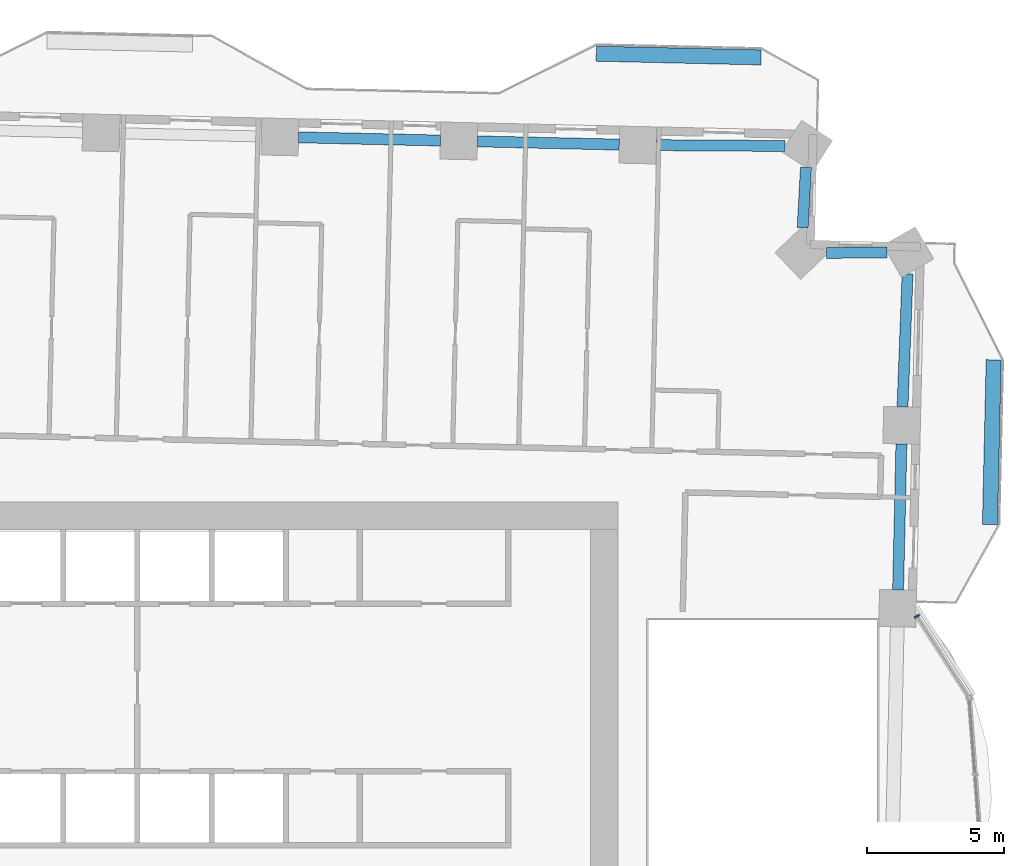
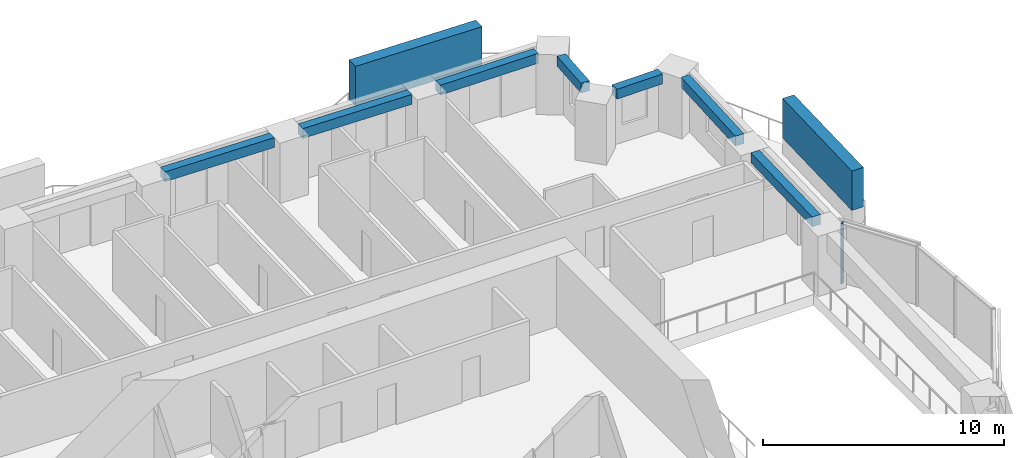
# One storey, part 4 of 16: 7 beams, 3 members, 1 element without a shape of its own.
"""IFC4 building model written with IfcOpenShell, lengths in metres."""

from ifc_helpers import new_model, si_unit, direction, frame, origin, origin_2d, place, context, subcontext, project, spatial, rectangle, extrude, material, material_profile, profile_set, type_object, element, aggregate, save


model = new_model("IFC4")

# Units and contexts
model_context = context("Model", 3, precision=1e-05, world=origin(), true_north=direction((0.0, 1.0)))
body_context = subcontext(model_context, "Body", "Model", "MODEL_VIEW")
ifc_project = project(units=[si_unit("LENGTHUNIT", "METRE"), si_unit("AREAUNIT", "SQUARE_METRE"), si_unit("VOLUMEUNIT", "CUBIC_METRE"), si_unit("PLANEANGLEUNIT", "RADIAN"), si_unit("MASSUNIT", "GRAM", prefix="KILO")], contexts=[model_context])

# Site, building, storey
site_placement = place(None, origin())
site = spatial("IfcSite", under=ifc_project, at=site_placement, CompositionType="ELEMENT")
building_placement = place(site_placement, origin())
building = spatial("IfcBuilding", under=site, at=building_placement, Name="Mangrove Gate Tower", CompositionType="ELEMENT")
storey_placement = place(building_placement, frame((0.0, 0.0, 112.699951171875)))
storey = spatial("IfcBuildingStorey", under=building, at=storey_placement, Name="L28", CompositionType="ELEMENT", Elevation=112.699951171875)

# Curtain wall, member
ifc_material_1 = material(Name="Aluminium and glass curtain wall", Category="aluminium")
curtain_wall_type = type_object("IfcCurtainWallType", Name="Atrium garden-court glazing wall", PredefinedType="NOTDEFINED", material=ifc_material_1)
curtain_wall_placement = place(storey_placement, origin())
curtain_wall = element("IfcCurtainWall", 1, at=curtain_wall_placement, inside=storey, type_object=curtain_wall_type, Name="Atrium garden-court glazing E1f3", PredefinedType="NOTDEFINED")
ifc_material_2 = material(Name="Aluminium alloy 6063-T6", Category="aluminium")
ifc_material_profile_1 = material_profile(ifc_material_2, rectangle(XDim=0.070068359375, YDim=0.199951171875, at=origin_2d()))
ifc_profile_set_1 = profile_set([ifc_material_profile_1], Name="Aluminium alloy 6063-T6")
member_type_1 = type_object("IfcMemberType", Name="Atrium garden-court glazing mullion 70x200", PredefinedType="MULLION", material=ifc_profile_set_1)
member_placement = place(storey_placement, frame((25.67626953125, 7.6337890625, 0.0), z_axis=(0.0, 0.0, 1.0), x_axis=(-0.540510523896, 0.841337253162, 0.0)))
member = element("IfcMember", 2, at=member_placement, type_object=member_type_1, Name="CWA mullion 2", PredefinedType="MULLION", context=body_context, shape_type="SweptSolid", body=[
    extrude(rectangle(XDim=0.070068359375, YDim=0.199951171875, at=origin_2d()), origin(), (0.0, 0.0, 1.0), 3.050048828125),
])
aggregate(curtain_wall, [member])

# Members
ifc_material_3 = material(Name="Planting on aluminium trellis", Category="aluminium")
ifc_material_profile_2 = material_profile(ifc_material_3, rectangle(XDim=0.550048828125, YDim=2.0, at=origin_2d()))
ifc_profile_set_2 = profile_set([ifc_material_profile_2], Name="Planting on aluminium trellis")
member_type_2 = type_object("IfcMemberType", Name="Balcony greenery screen 550x2000", PredefinedType="USERDEFINED", material=ifc_profile_set_2)
for number, where, z_axis, x_axis, name in (
    (3, (28.337890625, 10.972900390625, 1.800048828125), (0.022706615587, 0.999742171567, 0.0), (-0.999742171567, 0.022706615587, 0.0), "GREEN SCREEN L28 E1.1"),
    (4, (14.0048828125, 28.117919921875, 1.800048828125), (0.999743094499, -0.022665943652, 0.0), (0.022665943652, 0.999743094499, 0.0), "GREEN SCREEN L28 N0.1"),
):
    element("IfcMember", number, at=place(storey_placement, frame(where, z_axis=z_axis, x_axis=x_axis)), inside=storey, type_object=member_type_2, Name=name, ObjectType="PLANTING", PredefinedType="USERDEFINED", context=body_context, shape_type="SweptSolid", body=[
        extrude(rectangle(XDim=0.550048828125, YDim=2.0, at=origin_2d()), origin(), (0.0, 0.0, 1.0), 5.99951171875),
    ])

# Beams
ifc_material_4 = material(Name="Concrete C50/60", Category="concrete")
ifc_material_profile_3 = material_profile(ifc_material_4, rectangle(XDim=0.39990234375, YDim=0.5, at=origin_2d()))
ifc_profile_set_3 = profile_set([ifc_material_profile_3], Name="Concrete C50/60")
beam_type = type_object("IfcBeamType", Name="Edge beam RC 400x500 C50/60", PredefinedType="BEAM", material=ifc_profile_set_3)
beam_1_placement = place(storey_placement, frame((24.993408203125, 8.59912109375, 2.800048828125), z_axis=(0.022659804799, 0.999743233659, 0.0), x_axis=(-0.999743233659, 0.022659804799, 0.0)))
element("IfcBeam", 5, at=beam_1_placement, inside=storey, type_object=beam_type, Name="Edge beam L28 16", PredefinedType="BEAM", context=body_context, shape_type="SweptSolid", body=[
    extrude(rectangle(XDim=0.39990234375, YDim=0.5, at=origin_2d()), origin(), (0.0, 0.0, 1.0), 5.311767578125),
])
beam_2_placement = place(storey_placement, frame((25.15478515625, 15.2587890625, 2.800048828125), z_axis=(0.037881748056, 0.999282228984, 0.0), x_axis=(-0.999282228984, 0.037881748056, 0.0)))
element("IfcBeam", 6, at=beam_2_placement, inside=storey, type_object=beam_type, Name="Edge beam L28 17", PredefinedType="BEAM", context=body_context, shape_type="SweptSolid", body=[
    extrude(rectangle(XDim=0.39990234375, YDim=0.5, at=origin_2d()), origin(), (0.0, 0.0, 1.0), 4.846435546875),
])
beam_3_placement = place(storey_placement, frame((24.59619140625, 20.8876953125, 2.800048828125), z_axis=(-0.999944627484, -0.010523400865, 0.0), x_axis=(0.010523400865, -0.999944627484, 0.0)))
element("IfcBeam", 7, at=beam_3_placement, inside=storey, type_object=beam_type, Name="Edge beam L28 18", PredefinedType="BEAM", context=body_context, shape_type="SweptSolid", body=[
    extrude(rectangle(XDim=0.39990234375, YDim=0.5, at=origin_2d()), origin(), (0.0, 0.0, 1.0), 2.203857421875),
])
beam_4_placement = place(storey_placement, frame((21.5185546875, 21.77880859375, 2.800048828125), z_axis=(0.054456450957, 0.998516146564, 0.0), x_axis=(-0.998516146564, 0.054456450957, 0.0)))
element("IfcBeam", 8, at=beam_4_placement, inside=storey, type_object=beam_type, Name="Edge beam L28 19", PredefinedType="BEAM", context=body_context, shape_type="SweptSolid", body=[
    extrude(rectangle(XDim=0.39990234375, YDim=0.5, at=origin_2d()), origin(), (0.0, 0.0, 1.0), 2.201171875),
])
beam_5_placement = place(storey_placement, frame((20.880859375, 24.758056640625, 2.800048828125), z_axis=(-0.999979817099, 0.006353376611, 0.0), x_axis=(-0.006353376611, -0.999979817099, 0.0)))
element("IfcBeam", 9, at=beam_5_placement, inside=storey, type_object=beam_type, Name="Edge beam L28 20", PredefinedType="BEAM", context=body_context, shape_type="SweptSolid", body=[
    extrude(rectangle(XDim=0.39990234375, YDim=0.5, at=origin_2d()), origin(), (0.0, 0.0, 1.0), 4.68798828125),
])
beam_6_placement = place(storey_placement, frame((14.8427734375, 24.8076171875, 2.800048828125), z_axis=(-0.999742542789, 0.022690265286, 0.0), x_axis=(-0.022690265286, -0.999742542789, 0.0)))
element("IfcBeam", 10, at=beam_6_placement, inside=storey, type_object=beam_type, Name="Edge beam L28 21", PredefinedType="BEAM", context=body_context, shape_type="SweptSolid", body=[
    extrude(rectangle(XDim=0.39990234375, YDim=0.5, at=origin_2d()), origin(), (0.0, 0.0, 1.0), 5.16455078125),
])
beam_7_placement = place(storey_placement, frame((8.329833984375, 24.95556640625, 2.800048828125), z_axis=(-0.999742640111, 0.0226859768, 0.0), x_axis=(-0.0226859768, -0.999742640111, 0.0)))
element("IfcBeam", 11, at=beam_7_placement, inside=storey, type_object=beam_type, Name="Edge beam L28 22", PredefinedType="BEAM", context=body_context, shape_type="SweptSolid", body=[
    extrude(rectangle(XDim=0.39990234375, YDim=0.5, at=origin_2d()), origin(), (0.0, 0.0, 1.0), 5.16552734375),
])

save(model, "model.ifc")
